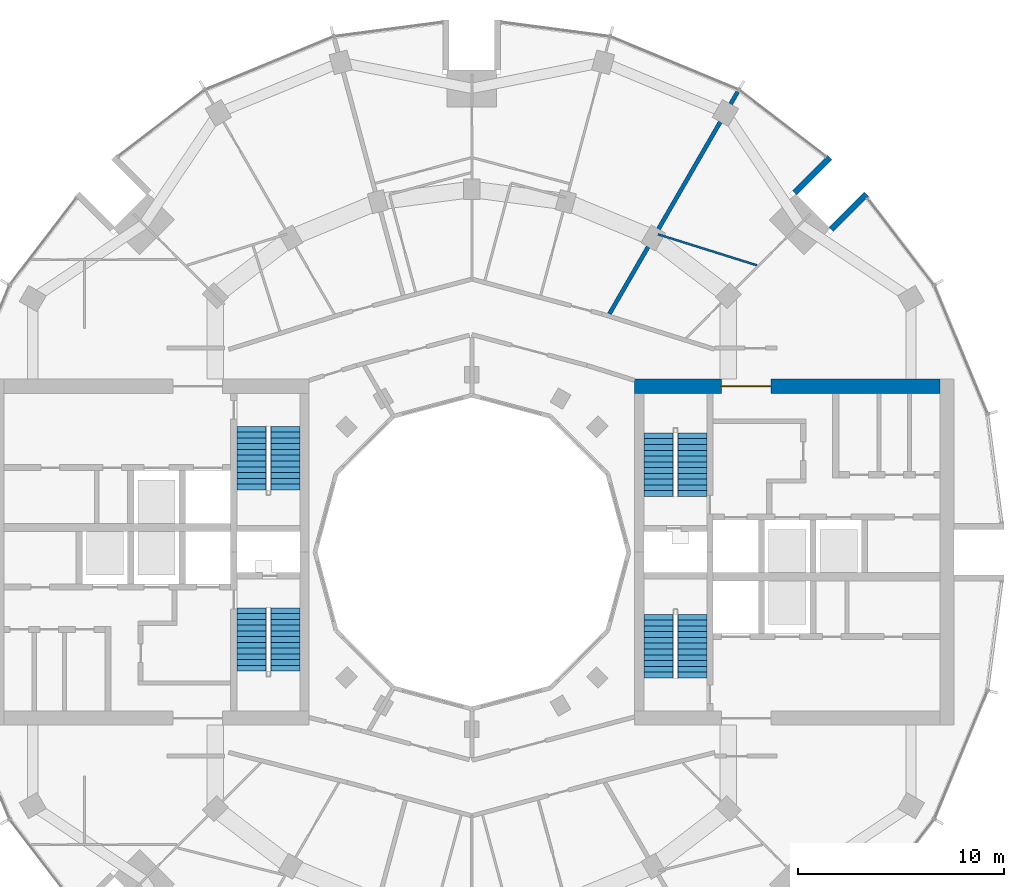
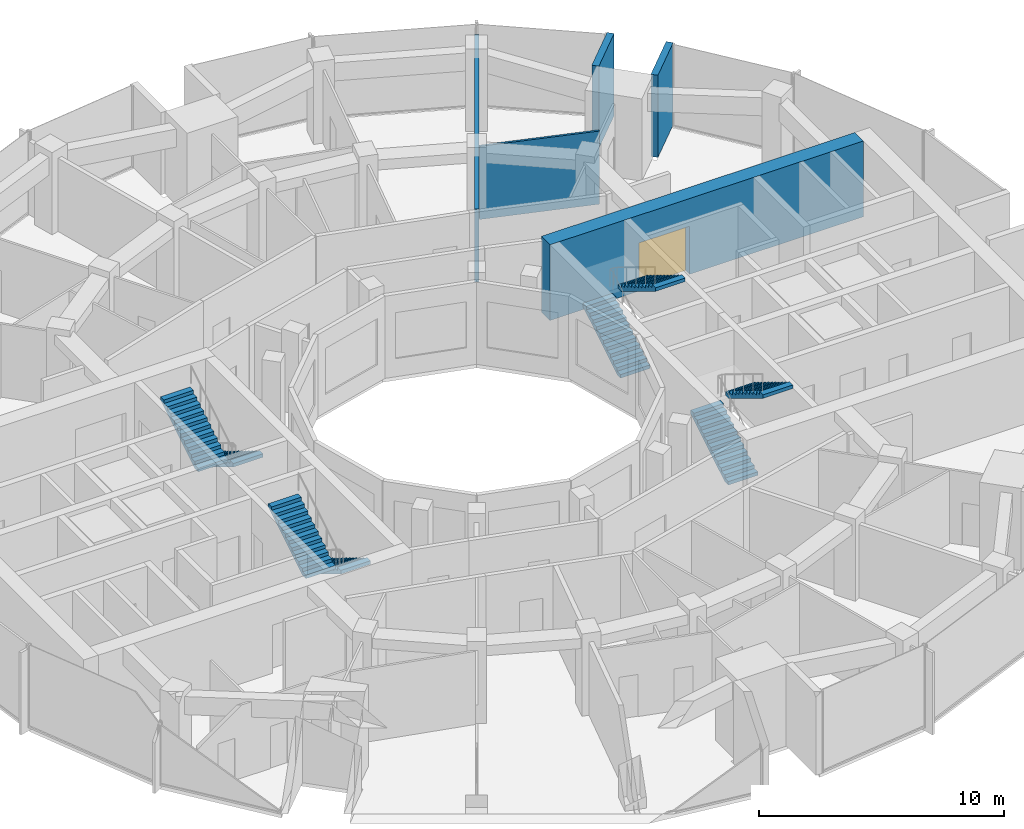
# One storey, part 13 of 15: 8 stair flights, 5 walls, 1 door, 1 opening, 4 elements without a shape of their own.
"""IFC4 building model written with IfcOpenShell, lengths in metres."""

from ifc_helpers import new_model, si_unit, direction, frame, frame_2d, origin, place, context, subcontext, project, spatial, polyline, rectangle, outline, extrude, material, layer, layer_set, type_object, element, fill, aggregate, save


model = new_model("IFC4")

# Units and contexts
model_context = context("Model", 3, precision=1e-05, world=origin(), true_north=direction((0.0, 1.0)))
body_context = subcontext(model_context, "Body", "Model", "MODEL_VIEW")
ifc_project = project(units=[si_unit("LENGTHUNIT", "METRE"), si_unit("AREAUNIT", "SQUARE_METRE"), si_unit("VOLUMEUNIT", "CUBIC_METRE"), si_unit("PLANEANGLEUNIT", "RADIAN"), si_unit("MASSUNIT", "GRAM", prefix="KILO")], contexts=[model_context])

# Site, building, storey
site_placement = place(None, origin())
site = spatial("IfcSite", under=ifc_project, at=site_placement, CompositionType="ELEMENT")
building_placement = place(site_placement, origin())
building = spatial("IfcBuilding", under=site, at=building_placement, Name="Torre Brocal", CompositionType="ELEMENT")
storey_placement = place(building_placement, frame((0.0, 0.0, 194.60009765625)))
storey = spatial("IfcBuildingStorey", under=building, at=storey_placement, Name="L45", CompositionType="ELEMENT", Elevation=194.60009765625)

# Wall, opening, door
ifc_material_1 = material(Name="Concrete C70", Category="concrete")
ifc_layer_1 = layer(ifc_material_1, 0.699951171875)
ifc_layer_set_1 = layer_set([ifc_layer_1], Name="Concrete C70")
wall_type_1 = type_object("IfcWallType", Name="CORE WALL 700 C70", PredefinedType="SHEAR", material=ifc_layer_set_1)
wall_1_placement = place(storey_placement, frame((87.89990234375, 83.050048828125, 0.0), z_axis=(0.0, 0.0, 1.0), x_axis=(1.0, 0.0, 0.0)))
wall_1 = element("IfcWall", 1, at=wall_1_placement, inside=storey, type_object=wall_type_1, Name="Wall CW700-70", PredefinedType="SHEAR", context=body_context, shape_type="SweptSolid", body=[
    extrude(rectangle(XDim=14.800048828125, YDim=0.699951171875, at=frame_2d((7.39990234375, 0.0))), origin(), (0.0, 0.0, 1.0), 3.77978515625),
])
opening_placement = place(wall_1_placement, frame((4.199951171875, 0.0, 0.0)))
opening = element("IfcOpeningElement", 2, at=opening_placement, cuts=wall_1, Name="Opening E-D34", PredefinedType="OPENING", context=body_context, shape_type="SweptSolid", body=[
    extrude(rectangle(XDim=2.39990234375, YDim=2.39990234375, at=frame_2d((1.199951171875, 1.199951171875))), frame((0.0, 0.35986328125, 0.0), z_axis=(0.0, -1.0, 0.0), x_axis=(1.0, 0.0, 0.0)), (0.0, 0.0, 1.0), 0.719970703125),
])
ifc_material_2 = material(Name="Steel A653", Category="steel")
door_type = type_object("IfcDoorType", Name="DOUBLE FIRE DOOR FD90 2400X2400", OperationType="DOUBLE_DOOR_SINGLE_SWING", PredefinedType="DOOR", material=ifc_material_2)
door_placement = place(opening_placement, frame((2.39990234375, 0.0, 0.0), z_axis=(0.0, 0.0, 1.0), x_axis=(-1.0, 0.0, 0.0)))
door = element("IfcDoor", 3, at=door_placement, inside=storey, type_object=door_type, Name="Door E-D34", OperationType="DOUBLE_DOOR_SINGLE_SWING", OverallHeight=2.39990234375, OverallWidth=2.39990234375, PredefinedType="DOOR", context=body_context, shape_type="SweptSolid", body=[
    extrude(rectangle(XDim=2.39990234375, YDim=2.39990234375, at=frame_2d((1.199951171875, 1.199951171875))), frame((0.0, 0.02490234375, 0.0), z_axis=(0.0, -1.0, 0.0), x_axis=(1.0, 0.0, 0.0)), (0.0, 0.0, 1.0), 0.050048828125),
])
fill(opening, door)

# Walls
ifc_material_3 = material(Name="Concrete C70", Category="concrete")
ifc_layer_2 = layer(ifc_material_3, 0.300048828125)
ifc_layer_set_2 = layer_set([ifc_layer_2], Name="Concrete C70")
wall_type_2 = type_object("IfcWallType", Name="NOTCH RETURN WALL 300 C70", PredefinedType="NOTDEFINED", material=ifc_layer_set_2)
for number, where, z_axis, x_axis, name in (
    (4, (97.43017578125, 90.662353515625, 0.0), (0.0, 0.0, 1.0), (0.707106781187, 0.707106781187, 0.0), "NOTCH RETURN WALL"),
    (5, (95.662353515625, 92.43017578125, 0.0), (0.0, 0.0, 1.0), (0.707106781187, 0.707106781187, 0.0), "NOTCH RETURN WALL"),
):
    element("IfcWall", number, at=place(storey_placement, frame(where, z_axis=z_axis, x_axis=x_axis)), inside=storey, type_object=wall_type_2, Name=name, PredefinedType="NOTDEFINED", context=body_context, shape_type="SweptSolid", body=[
        extrude(rectangle(XDim=2.415771484375, YDim=0.300048828125, at=frame_2d((1.2080078125, 0.0))), origin(), (0.0, 0.0, 1.0), 4.099853515625),
    ])
ifc_material_4 = material(Name="Gypsum board", Category="Gypsum")
ifc_layer_3 = layer(ifc_material_4, 0.10009765625)
ifc_layer_set_3 = layer_set([ifc_layer_3], Name="Gypsum board")
wall_type_3 = type_object("IfcWallType", Name="PARTITION 100", PredefinedType="PARTITIONING", material=ifc_layer_set_3)
wall_2_placement = place(storey_placement, frame((89.0263671875, 90.4189453125, 0.0), z_axis=(0.0, 0.0, 1.0), x_axis=(0.954217944154, -0.299112211476, 0.0)))
element("IfcWall", 6, at=wall_2_placement, inside=storey, type_object=wall_type_3, Name="BATHROOM WALL", PredefinedType="PARTITIONING", context=body_context, shape_type="SweptSolid", body=[
    extrude(rectangle(XDim=5.0302734375, YDim=0.10009765625, at=frame_2d((2.51513671875, 0.0))), origin(), (0.0, 0.0, 1.0), 3.64990234375),
])
ifc_material_5 = material(Name="Gypsum board", Category="Gypsum")
ifc_layer_4 = layer(ifc_material_5, 0.199951171875)
ifc_layer_set_4 = layer_set([ifc_layer_4], Name="Gypsum board")
wall_type_4 = type_object("IfcWallType", Name="PARTITION 200 EI60", PredefinedType="PARTITIONING", material=ifc_layer_set_4)
wall_3_placement = place(storey_placement, frame((86.676025390625, 86.56298828125, 0.0), z_axis=(0.0, 0.0, 1.0), x_axis=(0.500124310661, 0.865953621094, 0.0)))
element("IfcWall", 7, at=wall_3_placement, inside=storey, type_object=wall_type_4, Name="BATHROOM WALL", PredefinedType="PARTITIONING", context=body_context, shape_type="SweptSolid", body=[
    extrude(rectangle(XDim=12.445556640625, YDim=0.199951171875, at=frame_2d((6.22265625, 0.0))), origin(), (0.0, 0.0, 1.0), 3.64990234375),
])

# Stair, stair flights
ifc_material_6 = material(Name="Concrete C50", Category="concrete")
stair_type = type_object("IfcStairType", Name="EXIT STAIR", PredefinedType="HALF_TURN_STAIR", material=ifc_material_6)
stair_1_placement = place(storey_placement, origin())
stair_1 = element("IfcStair", 8, at=stair_1_placement, inside=storey, type_object=stair_type, Name="EXIT STAIR ST1", PredefinedType="HALF_TURN_STAIR")
ifc_material_7 = material(Name="Concrete C50", Category="concrete")
ifc_layer_5 = layer(ifc_material_7, 0.14990234375)
ifc_layer_set_5 = layer_set([ifc_layer_5], Name="Concrete C50")
stair_flight_type = type_object("IfcStairFlightType", Name="STAIR FLIGHT", PredefinedType="STRAIGHT", material=ifc_layer_set_5)
stair_flight_1_placement = place(storey_placement, frame((89.050048828125, 77.699951171875, 0.0), z_axis=(0.0, 0.0, 1.0), x_axis=(0.0, 1.0, 0.0)))
stair_flight_1 = element("IfcStairFlight", 9, at=stair_flight_1_placement, type_object=stair_flight_type, Name="ST1 flight 1", NumberOfRisers=12, NumberOfTreads=11, PredefinedType="STRAIGHT", RiserHeight=0.170833333, TreadLength=0.28, context=body_context, shape_type="SweptSolid", body=[
    extrude(outline(polyline([(0.0, 0.0), (0.0, 0.1708984375), (0.280029296875, 0.1708984375), (0.280029296875, 0.341552734375), (0.56005859375, 0.341552734375), (0.56005859375, 0.512451171875), (0.840087890625, 0.512451171875), (0.840087890625, 0.683349609375), (1.1201171875, 0.683349609375), (1.1201171875, 0.854248046875), (1.39990234375, 0.854248046875), (1.39990234375, 1.02490234375), (1.679931640625, 1.02490234375), (1.679931640625, 1.19580078125), (1.9599609375, 1.19580078125), (1.9599609375, 1.36669921875), (2.239990234375, 1.36669921875), (2.239990234375, 1.53759765625), (2.52001953125, 1.53759765625), (2.52001953125, 1.708251953125), (2.800048828125, 1.708251953125), (2.800048828125, 1.879150390625), (3.080078125, 1.879150390625), (3.080078125, 2.050048828125), (3.080078125, 1.70361328125), (0.287841796875, 0.0), (0.0, 0.0)])), frame((0.0, 0.699951171875, 0.0), z_axis=(0.0, -1.0, 0.0), x_axis=(1.0, 0.0, 0.0)), (0.0, 0.0, 1.0), 1.39990234375),
])
stair_flight_2_placement = place(storey_placement, frame((90.699951171875, 80.780029296875, 2.0498046875), z_axis=(0.0, 0.0, 1.0), x_axis=(0.0, -1.0, 0.0)))
stair_flight_2 = element("IfcStairFlight", 10, at=stair_flight_2_placement, type_object=stair_flight_type, Name="ST1 flight 2", NumberOfRisers=12, NumberOfTreads=11, PredefinedType="STRAIGHT", RiserHeight=0.170833333, TreadLength=0.28, context=body_context, shape_type="SweptSolid", body=[
    extrude(outline(polyline([(0.0, 0.0), (0.0, 0.1708984375), (0.280029296875, 0.1708984375), (0.280029296875, 0.341552734375), (0.56005859375, 0.341552734375), (0.56005859375, 0.512451171875), (0.840087890625, 0.512451171875), (0.840087890625, 0.683349609375), (1.1201171875, 0.683349609375), (1.1201171875, 0.854248046875), (1.39990234375, 0.854248046875), (1.39990234375, 1.02490234375), (1.679931640625, 1.02490234375), (1.679931640625, 1.19580078125), (1.9599609375, 1.19580078125), (1.9599609375, 1.36669921875), (2.239990234375, 1.36669921875), (2.239990234375, 1.53759765625), (2.52001953125, 1.53759765625), (2.52001953125, 1.708251953125), (2.800048828125, 1.708251953125), (2.800048828125, 1.879150390625), (3.080078125, 1.879150390625), (3.080078125, 2.050048828125), (3.080078125, 1.70361328125), (0.287841796875, 0.0), (0.0, 0.0)])), frame((0.0, 0.699951171875, 0.0), z_axis=(0.0, -1.0, 0.0), x_axis=(1.0, 0.0, 0.0)), (0.0, 0.0, 1.0), 1.39990234375),
])
aggregate(stair_1, [stair_flight_1, stair_flight_2])

stair_2_placement = place(storey_placement, origin())
stair_2 = element("IfcStair", 11, at=stair_2_placement, inside=storey, type_object=stair_type, Name="EXIT STAIR ST2", PredefinedType="HALF_TURN_STAIR")
stair_flight_3_placement = place(storey_placement, frame((89.050048828125, 68.89990234375, 0.0), z_axis=(0.0, 0.0, 1.0), x_axis=(0.0, 1.0, 0.0)))
stair_flight_3 = element("IfcStairFlight", 12, at=stair_flight_3_placement, type_object=stair_flight_type, Name="ST2 flight 1", NumberOfRisers=12, NumberOfTreads=11, PredefinedType="STRAIGHT", RiserHeight=0.170833333, TreadLength=0.28, context=body_context, shape_type="SweptSolid", body=[
    extrude(outline(polyline([(0.0, 0.0), (0.0, 0.1708984375), (0.280029296875, 0.1708984375), (0.280029296875, 0.341552734375), (0.56005859375, 0.341552734375), (0.56005859375, 0.512451171875), (0.840087890625, 0.512451171875), (0.840087890625, 0.683349609375), (1.1201171875, 0.683349609375), (1.1201171875, 0.854248046875), (1.39990234375, 0.854248046875), (1.39990234375, 1.02490234375), (1.679931640625, 1.02490234375), (1.679931640625, 1.19580078125), (1.9599609375, 1.19580078125), (1.9599609375, 1.36669921875), (2.239990234375, 1.36669921875), (2.239990234375, 1.53759765625), (2.52001953125, 1.53759765625), (2.52001953125, 1.708251953125), (2.800048828125, 1.708251953125), (2.800048828125, 1.879150390625), (3.080078125, 1.879150390625), (3.080078125, 2.050048828125), (3.080078125, 1.70361328125), (0.287841796875, 0.0), (0.0, 0.0)])), frame((0.0, 0.699951171875, 0.0), z_axis=(0.0, -1.0, 0.0), x_axis=(1.0, 0.0, 0.0)), (0.0, 0.0, 1.0), 1.39990234375),
])
stair_flight_4_placement = place(storey_placement, frame((90.699951171875, 71.97998046875, 2.0498046875), z_axis=(0.0, 0.0, 1.0), x_axis=(0.0, -1.0, 0.0)))
stair_flight_4 = element("IfcStairFlight", 13, at=stair_flight_4_placement, type_object=stair_flight_type, Name="ST2 flight 2", NumberOfRisers=12, NumberOfTreads=11, PredefinedType="STRAIGHT", RiserHeight=0.170833333, TreadLength=0.28, context=body_context, shape_type="SweptSolid", body=[
    extrude(outline(polyline([(0.0, 0.0), (0.0, 0.1708984375), (0.280029296875, 0.1708984375), (0.280029296875, 0.341552734375), (0.56005859375, 0.341552734375), (0.56005859375, 0.512451171875), (0.840087890625, 0.512451171875), (0.840087890625, 0.683349609375), (1.1201171875, 0.683349609375), (1.1201171875, 0.854248046875), (1.39990234375, 0.854248046875), (1.39990234375, 1.02490234375), (1.679931640625, 1.02490234375), (1.679931640625, 1.19580078125), (1.9599609375, 1.19580078125), (1.9599609375, 1.36669921875), (2.239990234375, 1.36669921875), (2.239990234375, 1.53759765625), (2.52001953125, 1.53759765625), (2.52001953125, 1.708251953125), (2.800048828125, 1.708251953125), (2.800048828125, 1.879150390625), (3.080078125, 1.879150390625), (3.080078125, 2.050048828125), (3.080078125, 1.70361328125), (0.287841796875, 0.0), (0.0, 0.0)])), frame((0.0, 0.699951171875, 0.0), z_axis=(0.0, -1.0, 0.0), x_axis=(1.0, 0.0, 0.0)), (0.0, 0.0, 1.0), 1.39990234375),
])
aggregate(stair_2, [stair_flight_3, stair_flight_4])

stair_3_placement = place(storey_placement, origin())
stair_3 = element("IfcStair", 14, at=stair_3_placement, inside=storey, type_object=stair_type, Name="EXIT STAIR ST3", PredefinedType="HALF_TURN_STAIR")
stair_flight_5_placement = place(storey_placement, frame((70.949951171875, 72.300048828125, 0.0), z_axis=(0.0, 0.0, 1.0), x_axis=(0.0, -1.0, 0.0)))
stair_flight_5 = element("IfcStairFlight", 15, at=stair_flight_5_placement, type_object=stair_flight_type, Name="ST3 flight 1", NumberOfRisers=12, NumberOfTreads=11, PredefinedType="STRAIGHT", RiserHeight=0.170833333, TreadLength=0.28, context=body_context, shape_type="SweptSolid", body=[
    extrude(outline(polyline([(0.0, 0.0), (0.0, 0.1708984375), (0.280029296875, 0.1708984375), (0.280029296875, 0.341552734375), (0.56005859375, 0.341552734375), (0.56005859375, 0.512451171875), (0.840087890625, 0.512451171875), (0.840087890625, 0.683349609375), (1.1201171875, 0.683349609375), (1.1201171875, 0.854248046875), (1.39990234375, 0.854248046875), (1.39990234375, 1.02490234375), (1.679931640625, 1.02490234375), (1.679931640625, 1.19580078125), (1.9599609375, 1.19580078125), (1.9599609375, 1.36669921875), (2.239990234375, 1.36669921875), (2.239990234375, 1.53759765625), (2.52001953125, 1.53759765625), (2.52001953125, 1.708251953125), (2.800048828125, 1.708251953125), (2.800048828125, 1.879150390625), (3.080078125, 1.879150390625), (3.080078125, 2.050048828125), (3.080078125, 1.70361328125), (0.287841796875, 0.0), (0.0, 0.0)])), frame((0.0, 0.699951171875, 0.0), z_axis=(0.0, -1.0, 0.0), x_axis=(1.0, 0.0, 0.0)), (0.0, 0.0, 1.0), 1.39990234375),
])
stair_flight_6_placement = place(storey_placement, frame((69.300048828125, 69.219970703125, 2.0498046875), z_axis=(0.0, 0.0, 1.0), x_axis=(0.0, 1.0, 0.0)))
stair_flight_6 = element("IfcStairFlight", 16, at=stair_flight_6_placement, type_object=stair_flight_type, Name="ST3 flight 2", NumberOfRisers=12, NumberOfTreads=11, PredefinedType="STRAIGHT", RiserHeight=0.170833333, TreadLength=0.28, context=body_context, shape_type="SweptSolid", body=[
    extrude(outline(polyline([(0.0, 0.0), (0.0, 0.1708984375), (0.280029296875, 0.1708984375), (0.280029296875, 0.341552734375), (0.56005859375, 0.341552734375), (0.56005859375, 0.512451171875), (0.840087890625, 0.512451171875), (0.840087890625, 0.683349609375), (1.1201171875, 0.683349609375), (1.1201171875, 0.854248046875), (1.39990234375, 0.854248046875), (1.39990234375, 1.02490234375), (1.679931640625, 1.02490234375), (1.679931640625, 1.19580078125), (1.9599609375, 1.19580078125), (1.9599609375, 1.36669921875), (2.239990234375, 1.36669921875), (2.239990234375, 1.53759765625), (2.52001953125, 1.53759765625), (2.52001953125, 1.708251953125), (2.800048828125, 1.708251953125), (2.800048828125, 1.879150390625), (3.080078125, 1.879150390625), (3.080078125, 2.050048828125), (3.080078125, 1.70361328125), (0.287841796875, 0.0), (0.0, 0.0)])), frame((0.0, 0.699951171875, 0.0), z_axis=(0.0, -1.0, 0.0), x_axis=(1.0, 0.0, 0.0)), (0.0, 0.0, 1.0), 1.39990234375),
])
aggregate(stair_3, [stair_flight_5, stair_flight_6])

stair_4_placement = place(storey_placement, origin())
stair_4 = element("IfcStair", 17, at=stair_4_placement, inside=storey, type_object=stair_type, Name="EXIT STAIR ST4", PredefinedType="HALF_TURN_STAIR")
stair_flight_7_placement = place(storey_placement, frame((70.949951171875, 81.10009765625, 0.0), z_axis=(0.0, 0.0, 1.0), x_axis=(0.0, -1.0, 0.0)))
stair_flight_7 = element("IfcStairFlight", 18, at=stair_flight_7_placement, type_object=stair_flight_type, Name="ST4 flight 1", NumberOfRisers=12, NumberOfTreads=11, PredefinedType="STRAIGHT", RiserHeight=0.170833333, TreadLength=0.28, context=body_context, shape_type="SweptSolid", body=[
    extrude(outline(polyline([(0.0, 0.0), (0.0, 0.1708984375), (0.280029296875, 0.1708984375), (0.280029296875, 0.341552734375), (0.56005859375, 0.341552734375), (0.56005859375, 0.512451171875), (0.840087890625, 0.512451171875), (0.840087890625, 0.683349609375), (1.1201171875, 0.683349609375), (1.1201171875, 0.854248046875), (1.39990234375, 0.854248046875), (1.39990234375, 1.02490234375), (1.679931640625, 1.02490234375), (1.679931640625, 1.19580078125), (1.9599609375, 1.19580078125), (1.9599609375, 1.36669921875), (2.239990234375, 1.36669921875), (2.239990234375, 1.53759765625), (2.52001953125, 1.53759765625), (2.52001953125, 1.708251953125), (2.800048828125, 1.708251953125), (2.800048828125, 1.879150390625), (3.080078125, 1.879150390625), (3.080078125, 2.050048828125), (3.080078125, 1.70361328125), (0.287841796875, 0.0), (0.0, 0.0)])), frame((0.0, 0.699951171875, 0.0), z_axis=(0.0, -1.0, 0.0), x_axis=(1.0, 0.0, 0.0)), (0.0, 0.0, 1.0), 1.39990234375),
])
stair_flight_8_placement = place(storey_placement, frame((69.300048828125, 78.02001953125, 2.0498046875), z_axis=(0.0, 0.0, 1.0), x_axis=(0.0, 1.0, 0.0)))
stair_flight_8 = element("IfcStairFlight", 19, at=stair_flight_8_placement, type_object=stair_flight_type, Name="ST4 flight 2", NumberOfRisers=12, NumberOfTreads=11, PredefinedType="STRAIGHT", RiserHeight=0.170833333, TreadLength=0.28, context=body_context, shape_type="SweptSolid", body=[
    extrude(outline(polyline([(0.0, 0.0), (0.0, 0.1708984375), (0.280029296875, 0.1708984375), (0.280029296875, 0.341552734375), (0.56005859375, 0.341552734375), (0.56005859375, 0.512451171875), (0.840087890625, 0.512451171875), (0.840087890625, 0.683349609375), (1.1201171875, 0.683349609375), (1.1201171875, 0.854248046875), (1.39990234375, 0.854248046875), (1.39990234375, 1.02490234375), (1.679931640625, 1.02490234375), (1.679931640625, 1.19580078125), (1.9599609375, 1.19580078125), (1.9599609375, 1.36669921875), (2.239990234375, 1.36669921875), (2.239990234375, 1.53759765625), (2.52001953125, 1.53759765625), (2.52001953125, 1.708251953125), (2.800048828125, 1.708251953125), (2.800048828125, 1.879150390625), (3.080078125, 1.879150390625), (3.080078125, 2.050048828125), (3.080078125, 1.70361328125), (0.287841796875, 0.0), (0.0, 0.0)])), frame((0.0, 0.699951171875, 0.0), z_axis=(0.0, -1.0, 0.0), x_axis=(1.0, 0.0, 0.0)), (0.0, 0.0, 1.0), 1.39990234375),
])
aggregate(stair_4, [stair_flight_7, stair_flight_8])

save(model, "model.ifc")
